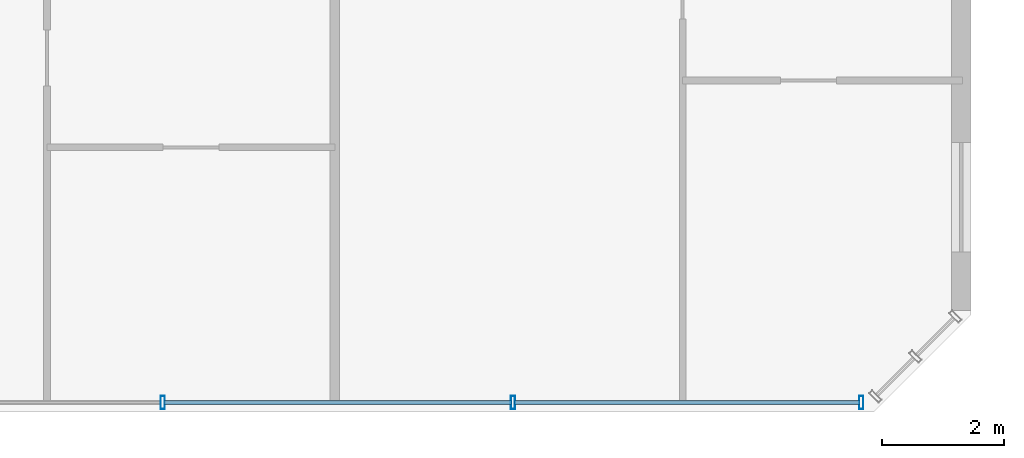
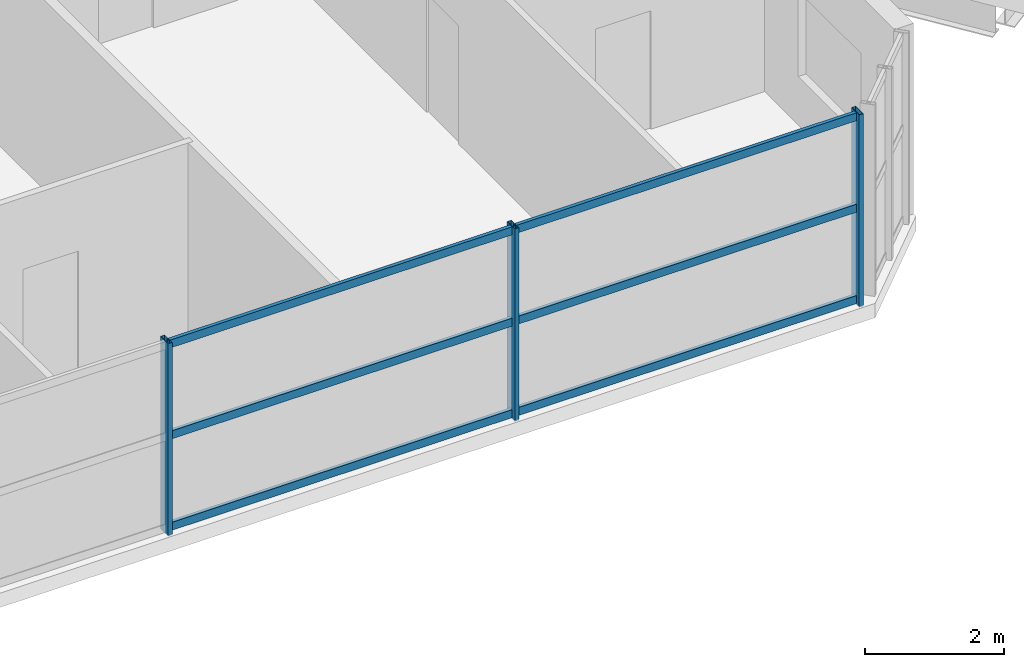
# One storey, part 7 of 24: 9 members, 1 element without a shape of its own.
"""IFC4 building model written with IfcOpenShell, lengths in metres."""

from ifc_helpers import new_model, si_unit, direction, frame, origin, origin_2d, place, context, subcontext, project, spatial, hollow_rectangle, extrude, source, transform, mapped, material, material_profile, profile_set, type_object, element, aggregate, save


model = new_model("IFC4")

# Units and contexts
model_context = context("Model", 3, precision=1e-05, world=origin(), true_north=direction((0.0, 1.0)))
body_context = subcontext(model_context, "Body", "Model", "MODEL_VIEW")
ifc_project = project(units=[si_unit("LENGTHUNIT", "METRE"), si_unit("AREAUNIT", "SQUARE_METRE"), si_unit("VOLUMEUNIT", "CUBIC_METRE"), si_unit("PLANEANGLEUNIT", "RADIAN"), si_unit("MASSUNIT", "GRAM", prefix="KILO")], contexts=[model_context])

# Site, building, storey
site_placement = place(None, origin())
site = spatial("IfcSite", under=ifc_project, at=site_placement, CompositionType="ELEMENT")
building_placement = place(site_placement, origin())
building = spatial("IfcBuilding", under=site, at=building_placement, Name="Tlacorven Tower", CompositionType="ELEMENT")
storey_placement = place(building_placement, frame((0.0, 0.0, 45.60009765625)))
storey = spatial("IfcBuildingStorey", under=building, at=storey_placement, Name="L11", CompositionType="ELEMENT", Elevation=45.60009765625)

# Curtain wall, members
ifc_material_1 = material(Name="Dark solar low-E double glazing in aluminium frame", Category="aluminium")
curtain_wall_type = type_object("IfcCurtainWallType", Name="CW-TWR-LOW", PredefinedType="USERDEFINED", material=ifc_material_1)
curtain_wall_placement = place(storey_placement, origin())
curtain_wall = element("IfcCurtainWall", 1, at=curtain_wall_placement, inside=storey, type_object=curtain_wall_type, Name="L11 CW-TWR-LOW Curtain Wall 58", ObjectType="UNITISED CURTAIN WALL", PredefinedType="USERDEFINED")
ifc_material_2 = material(Name="Aluminium 6063-T6 anodised", Category="aluminium")
ifc_material_profile_1 = material_profile(ifc_material_2, hollow_rectangle(XDim=0.06005859375, YDim=0.139892578125, WallThickness=0.00390625, at=origin_2d()), Name="ALU TRANSOM 60X140")
ifc_profile_set_1 = profile_set([ifc_material_profile_1], Name="Aluminium 6063-T6 anodised")
member_type_1 = type_object("IfcMemberType", Name="CWT-02", PredefinedType="USERDEFINED", material=ifc_profile_set_1)
shared_shape_1 = source(origin(), body_context, "Body", "SweptSolid", [
    extrude(hollow_rectangle(XDim=0.06005859375, YDim=0.139892578125, WallThickness=0.00390625, at=origin_2d()), origin(), (0.0, 0.0, 1.0), 5.6748046875),
])
member_1_placement = place(storey_placement, frame((50.57568359375, 1.9599609375, 0.06982421875), z_axis=(-1.0, 0.0, 0.0), x_axis=(0.0, -1.0, 0.0)))
member_1 = element("IfcMember", 2, at=member_1_placement, type_object=member_type_1, Name="CW-L11-058 Transom 1", ObjectType="TRANSOM", PredefinedType="USERDEFINED", context=body_context, shape_type="MappedRepresentation", body=[
    mapped(shared_shape_1, transform((0.0, 0.0, 0.0), scale=1.0)),
])
member_2_placement = place(storey_placement, frame((50.57568359375, 1.9599609375, 1.6748046875), z_axis=(-1.0, 0.0, 0.0), x_axis=(0.0, -1.0, 0.0)))
member_2 = element("IfcMember", 3, at=member_2_placement, type_object=member_type_1, Name="CW-L11-058 Transom 2", ObjectType="TRANSOM", PredefinedType="USERDEFINED", context=body_context, shape_type="MappedRepresentation", body=[
    mapped(shared_shape_1, transform((0.0, 0.0, 0.0), scale=1.0)),
])
member_3_placement = place(storey_placement, frame((50.57568359375, 1.9599609375, 3.27978515625), z_axis=(-1.0, 0.0, 0.0), x_axis=(0.0, -1.0, 0.0)))
member_3 = element("IfcMember", 4, at=member_3_placement, type_object=member_type_1, Name="CW-L11-058 Transom 3", ObjectType="TRANSOM", PredefinedType="USERDEFINED", context=body_context, shape_type="MappedRepresentation", body=[
    mapped(shared_shape_1, transform((0.0, 0.0, 0.0), scale=1.0)),
])
shared_shape_2 = source(origin(), body_context, "Body", "SweptSolid", [
    extrude(hollow_rectangle(XDim=0.06005859375, YDim=0.139892578125, WallThickness=0.00390625, at=origin_2d()), origin(), (0.0, 0.0, 1.0), 5.7099609375),
])
member_4_placement = place(storey_placement, frame((44.85498046875, 1.9599609375, 0.06982421875), z_axis=(-1.0, 0.0, 0.0), x_axis=(0.0, -1.0, 0.0)))
member_4 = element("IfcMember", 5, at=member_4_placement, type_object=member_type_1, Name="CW-L11-058 Transom 4", ObjectType="TRANSOM", PredefinedType="USERDEFINED", context=body_context, shape_type="MappedRepresentation", body=[
    mapped(shared_shape_2, transform((0.0, 0.0, 0.0), scale=1.0)),
])
member_5_placement = place(storey_placement, frame((44.85498046875, 1.9599609375, 1.6748046875), z_axis=(-1.0, 0.0, 0.0), x_axis=(0.0, -1.0, 0.0)))
member_5 = element("IfcMember", 6, at=member_5_placement, type_object=member_type_1, Name="CW-L11-058 Transom 5", ObjectType="TRANSOM", PredefinedType="USERDEFINED", context=body_context, shape_type="MappedRepresentation", body=[
    mapped(shared_shape_2, transform((0.0, 0.0, 0.0), scale=1.0)),
])
member_6_placement = place(storey_placement, frame((44.85498046875, 1.9599609375, 3.27978515625), z_axis=(-1.0, 0.0, 0.0), x_axis=(0.0, -1.0, 0.0)))
member_6 = element("IfcMember", 7, at=member_6_placement, type_object=member_type_1, Name="CW-L11-058 Transom 6", ObjectType="TRANSOM", PredefinedType="USERDEFINED", context=body_context, shape_type="MappedRepresentation", body=[
    mapped(shared_shape_2, transform((0.0, 0.0, 0.0), scale=1.0)),
])
ifc_material_profile_2 = material_profile(ifc_material_2, hollow_rectangle(XDim=0.070068359375, YDim=0.219970703125, WallThickness=0.0048828125, at=origin_2d()), Name="ALU MULLION 70X220")
ifc_profile_set_2 = profile_set([ifc_material_profile_2], Name="Aluminium 6063-T6 anodised")
member_type_2 = type_object("IfcMemberType", Name="CWM-01", PredefinedType="MULLION", material=ifc_profile_set_2)
shared_shape_3 = source(origin(), body_context, "Body", "SweptSolid", [
    extrude(hollow_rectangle(XDim=0.070068359375, YDim=0.219970703125, WallThickness=0.0048828125, at=origin_2d()), origin(), (0.0, 0.0, 1.0), 3.3798828125),
])
member_7_placement = place(storey_placement, frame((50.5986328125, 1.9599609375, -0.02001953125), z_axis=(0.0, 0.0, 1.0), x_axis=(-1.0, 0.0, 0.0)))
member_7 = element("IfcMember", 8, at=member_7_placement, type_object=member_type_2, Name="CW-L11-058 Mullion 1", PredefinedType="MULLION", context=body_context, shape_type="MappedRepresentation", body=[
    mapped(shared_shape_3, transform((0.0, 0.0, 0.0), scale=1.0)),
])
member_8_placement = place(storey_placement, frame((44.8779296875, 1.9599609375, -0.02001953125), z_axis=(0.0, 0.0, 1.0), x_axis=(-1.0, 0.0, 0.0)))
member_8 = element("IfcMember", 9, at=member_8_placement, type_object=member_type_2, Name="CW-L11-058 Mullion 2", PredefinedType="MULLION", context=body_context, shape_type="MappedRepresentation", body=[
    mapped(shared_shape_3, transform((0.0, 0.0, 0.0), scale=1.0)),
])
member_9_placement = place(storey_placement, frame((39.1220703125, 1.9599609375, -0.02001953125), z_axis=(0.0, 0.0, 1.0), x_axis=(-1.0, 0.0, 0.0)))
member_9 = element("IfcMember", 10, at=member_9_placement, type_object=member_type_2, Name="CW-L11-058 Mullion 3", PredefinedType="MULLION", context=body_context, shape_type="MappedRepresentation", body=[
    mapped(shared_shape_3, transform((0.0, 0.0, 0.0), scale=1.0)),
])
aggregate(curtain_wall, [member_7, member_8, member_9, member_1, member_2, member_3, member_4, member_5, member_6])

save(model, "model.ifc")
